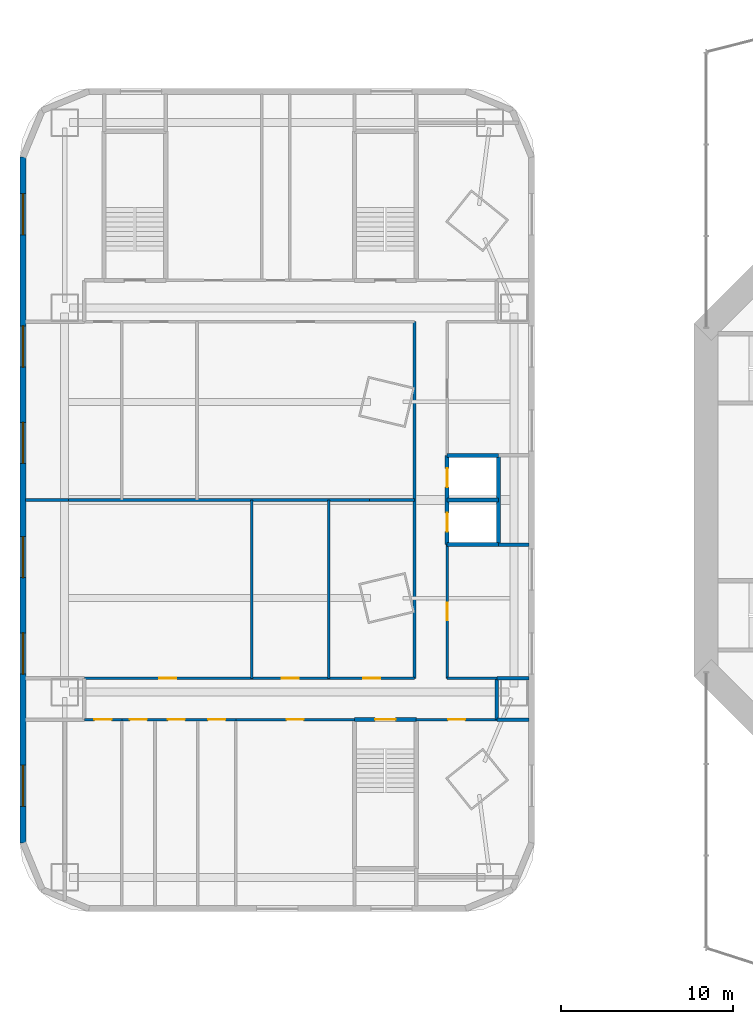
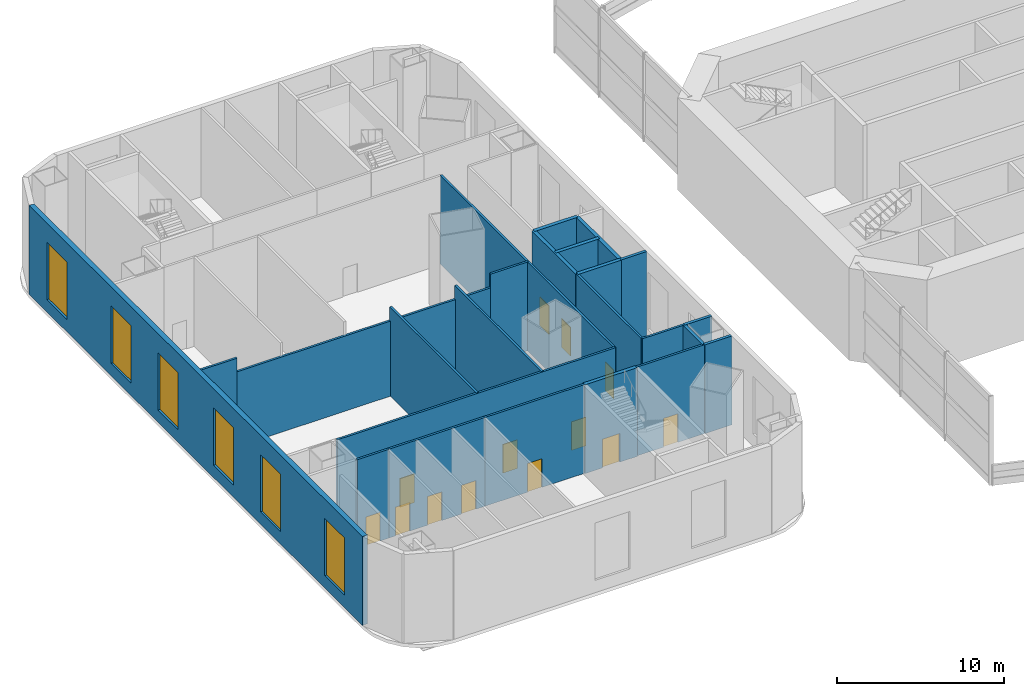
# One storey, part 10 of 19: 24 walls, 13 doors, 6 windows, 19 openings.
"""IFC4 building model written with IfcOpenShell, lengths in metres."""

from ifc_helpers import new_model, si_unit, direction, frame, frame_2d, origin, place, context, subcontext, project, spatial, rectangle, extrude, material, layer, layer_set, type_object, element, fill, save


model = new_model("IFC4")

# Units and contexts
model_context = context("Model", 3, precision=1e-05, world=origin(), true_north=direction((0.0, 1.0)))
body_context = subcontext(model_context, "Body", "Model", "MODEL_VIEW")
ifc_project = project(units=[si_unit("LENGTHUNIT", "METRE"), si_unit("AREAUNIT", "SQUARE_METRE"), si_unit("VOLUMEUNIT", "CUBIC_METRE"), si_unit("PLANEANGLEUNIT", "RADIAN"), si_unit("MASSUNIT", "GRAM", prefix="KILO")], contexts=[model_context])

# Site, building, storey
site_placement = place(None, origin())
site = spatial("IfcSite", under=ifc_project, at=site_placement, CompositionType="ELEMENT")
building_placement = place(site_placement, origin())
building = spatial("IfcBuilding", under=site, at=building_placement, Name="Marenthal Gate Tower", CompositionType="ELEMENT")
storey_placement = place(building_placement, frame((0.0, 0.0, 19.0)))
storey = spatial("IfcBuildingStorey", under=building, at=storey_placement, Name="L02", CompositionType="ELEMENT", Elevation=19.0)

# Walls
ifc_material_1 = material(Name="Concrete 40 MPa", Category="concrete")
ifc_layer_1 = layer(ifc_material_1, 0.25)
ifc_layer_set_1 = layer_set([ifc_layer_1], Name="Hoistway wall 250")
wall_type_1 = type_object("IfcWallType", Name="Hoistway wall 250", PredefinedType="STANDARD", material=ifc_layer_set_1)
for number, where, z_axis, x_axis, name in (
    (1, (-31.10009765625, -2.60009765625, 0.0), (0.0, 0.0, 1.0), (1.0, 0.0, 0.0), "Hoistway wall 36"),
    (2, (-31.10009765625, 0.0, 0.0), (0.0, 0.0, 1.0), (1.0, 0.0, 0.0), "Hoistway wall 38"),
    (3, (-31.10009765625, 2.60009765625, 0.0), (0.0, 0.0, 1.0), (1.0, 0.0, 0.0), "Hoistway wall 40"),
):
    element("IfcWall", number, at=place(storey_placement, frame(where, z_axis=z_axis, x_axis=x_axis)), inside=storey, type_object=wall_type_1, Name=name, PredefinedType="STANDARD", context=body_context, shape_type="SweptSolid", body=[
        extrude(rectangle(XDim=3.0, YDim=0.25, at=frame_2d((1.5, 0.0))), origin(), (0.0, 0.0, 1.0), 6.5),
    ])
wall_1_placement = place(storey_placement, frame((-28.10009765625, -2.60009765625, 0.0), z_axis=(0.0, 0.0, 1.0), x_axis=(0.0, 1.0, 0.0)))
element("IfcWall", 4, at=wall_1_placement, inside=storey, type_object=wall_type_1, Name="Hoistway wall 44", PredefinedType="STANDARD", context=body_context, shape_type="SweptSolid", body=[
    extrude(rectangle(XDim=5.2001953125, YDim=0.25, at=frame_2d((2.60009765625, 0.0))), origin(), (0.0, 0.0, 1.0), 6.5),
])

# Wall, openings, doors
wall_2_placement = place(storey_placement, frame((-31.10009765625, -2.60009765625, 0.0), z_axis=(0.0, 0.0, 1.0), x_axis=(0.0, 1.0, 0.0)))
wall_2 = element("IfcWall", 5, at=wall_2_placement, inside=storey, type_object=wall_type_1, Name="Hoistway wall 45", PredefinedType="STANDARD", context=body_context, shape_type="SweptSolid", body=[
    extrude(rectangle(XDim=5.2001953125, YDim=0.25, at=frame_2d((2.60009765625, 0.0))), origin(), (0.0, 0.0, 1.0), 6.5),
])
opening_1_placement = place(wall_2_placement, frame((0.75, 0.0, 0.0)))
opening_1 = element("IfcOpeningElement", 6, at=opening_1_placement, cuts=wall_2, Name="Opening LD.03", PredefinedType="OPENING", context=body_context, shape_type="SweptSolid", body=[
    extrude(rectangle(XDim=1.10009765625, YDim=2.10009765625, at=frame_2d((0.550048828125, 1.050048828125))), frame((0.0, 0.135009765625, 0.0), z_axis=(0.0, -1.0, 0.0), x_axis=(1.0, 0.0, 0.0)), (0.0, 0.0, 1.0), 0.27001953125),
])
opening_2_placement = place(wall_2_placement, frame((3.35009765625, 0.0, 0.0)))
opening_2 = element("IfcOpeningElement", 7, at=opening_2_placement, cuts=wall_2, Name="Opening LD.04", PredefinedType="OPENING", context=body_context, shape_type="SweptSolid", body=[
    extrude(rectangle(XDim=1.10009765625, YDim=2.10009765625, at=frame_2d((0.550048828125, 1.050048828125))), frame((0.0, 0.135009765625, 0.0), z_axis=(0.0, -1.0, 0.0), x_axis=(1.0, 0.0, 0.0)), (0.0, 0.0, 1.0), 0.27001953125),
])
ifc_material_2 = material(Name="Stainless steel sliding door", Category="steel")
door_type_1 = type_object("IfcDoorType", Name="Lift landing door FD 90 1100 x 2100", OperationType="DOUBLE_DOOR_SLIDING", PredefinedType="DOOR", material=ifc_material_2)
door_1_placement = place(opening_1_placement, origin())
door_1 = element("IfcDoor", 8, at=door_1_placement, inside=storey, type_object=door_type_1, Name="Lift landing door 03", OperationType="DOUBLE_DOOR_SLIDING", OverallHeight=2.10009765625, OverallWidth=1.10009765625, PredefinedType="DOOR", context=body_context, shape_type="SweptSolid", body=[
    extrude(rectangle(XDim=1.10009765625, YDim=2.10009765625, at=frame_2d((0.550048828125, 1.050048828125))), frame((0.0, 0.02490234375, 0.0), z_axis=(0.0, -1.0, 0.0), x_axis=(1.0, 0.0, 0.0)), (0.0, 0.0, 1.0), 0.050048828125),
])
fill(opening_1, door_1)
door_2_placement = place(opening_2_placement, origin())
door_2 = element("IfcDoor", 9, at=door_2_placement, inside=storey, type_object=door_type_1, Name="Lift landing door 04", OperationType="DOUBLE_DOOR_SLIDING", OverallHeight=2.10009765625, OverallWidth=1.10009765625, PredefinedType="DOOR", context=body_context, shape_type="SweptSolid", body=[
    extrude(rectangle(XDim=1.10009765625, YDim=2.10009765625, at=frame_2d((0.550048828125, 1.050048828125))), frame((0.0, 0.02490234375, 0.0), z_axis=(0.0, -1.0, 0.0), x_axis=(1.0, 0.0, 0.0)), (0.0, 0.0, 1.0), 0.050048828125),
])
fill(opening_2, door_2)

# Wall, opening, door
ifc_material_3 = material(Name="Gypsum board on steel studs", Category="steel")
ifc_layer_2 = layer(ifc_material_3, 0.14990234375)
ifc_layer_set_2 = layer_set([ifc_layer_2], Name="Partition 150")
wall_type_2 = type_object("IfcWallType", Name="Partition 150", PredefinedType="PARTITIONING", material=ifc_layer_set_2)
wall_3_placement = place(storey_placement, frame((-52.25, -12.800048828125, 0.0), z_axis=(0.0, 0.0, 1.0), x_axis=(1.0, 0.0, 0.0)))
wall_3 = element("IfcWall", 10, at=wall_3_placement, inside=storey, type_object=wall_type_2, Name="Partition wall 46", PredefinedType="PARTITIONING", context=body_context, shape_type="SweptSolid", body=[
    extrude(rectangle(XDim=2.18505859375, YDim=0.14990234375, at=frame_2d((1.092529296875, 0.0))), origin(), (0.0, 0.0, 1.0), 6.5),
])
opening_3_placement = place(wall_3_placement, frame((0.58740234375, 0.0, 0.0)))
opening_3 = element("IfcOpeningElement", 11, at=opening_3_placement, cuts=wall_3, Name="Opening D012.32", PredefinedType="OPENING", context=body_context, shape_type="SweptSolid", body=[
    extrude(rectangle(XDim=1.0, YDim=2.10009765625, at=frame_2d((0.5, 1.050048828125))), frame((0.0, 0.0849609375, 0.0), z_axis=(0.0, -1.0, 0.0), x_axis=(1.0, 0.0, 0.0)), (0.0, 0.0, 1.0), 0.169921875),
])
ifc_material_4 = material(Name="Timber door", Category="wood")
door_type_2 = type_object("IfcDoorType", Name="Door 1000 x 2100", OperationType="NOTDEFINED", PredefinedType="DOOR", material=ifc_material_4)
door_3_placement = place(opening_3_placement, frame((1.0, 0.0, 0.0), z_axis=(0.0, 0.0, 1.0), x_axis=(-1.0, 0.0, 0.0)))
door_3 = element("IfcDoor", 12, at=door_3_placement, inside=storey, type_object=door_type_2, Name="Door D012.32", OperationType="SINGLE_SWING_LEFT", OverallHeight=2.10009765625, OverallWidth=1.0, PredefinedType="DOOR", context=body_context, shape_type="SweptSolid", body=[
    extrude(rectangle(XDim=1.0, YDim=2.10009765625, at=frame_2d((0.5, 1.050048828125))), frame((0.0, 0.02490234375, 0.0), z_axis=(0.0, -1.0, 0.0), x_axis=(1.0, 0.0, 0.0)), (0.0, 0.0, 1.0), 0.050048828125),
])
fill(opening_3, door_3)

wall_4_placement = place(storey_placement, frame((-43.425048828125, -12.800048828125, 0.0), z_axis=(0.0, 0.0, 1.0), x_axis=(1.0, 0.0, 0.0)))
wall_4 = element("IfcWall", 13, at=wall_4_placement, inside=storey, type_object=wall_type_2, Name="Partition wall 47", PredefinedType="PARTITIONING", context=body_context, shape_type="SweptSolid", body=[
    extrude(rectangle(XDim=6.929931640625, YDim=0.14990234375, at=frame_2d((3.46484375, 0.0))), origin(), (0.0, 0.0, 1.0), 6.5),
])
opening_4_placement = place(wall_4_placement, frame((2.965087890625, 0.0, 0.0)))
opening_4 = element("IfcOpeningElement", 14, at=opening_4_placement, cuts=wall_4, Name="Opening D012.28", PredefinedType="OPENING", context=body_context, shape_type="SweptSolid", body=[
    extrude(rectangle(XDim=1.0, YDim=2.10009765625, at=frame_2d((0.5, 1.050048828125))), frame((0.0, 0.0849609375, 0.0), z_axis=(0.0, -1.0, 0.0), x_axis=(1.0, 0.0, 0.0)), (0.0, 0.0, 1.0), 0.169921875),
])
door_4_placement = place(opening_4_placement, frame((1.0, 0.0, 0.0), z_axis=(0.0, 0.0, 1.0), x_axis=(-1.0, 0.0, 0.0)))
door_4 = element("IfcDoor", 15, at=door_4_placement, inside=storey, type_object=door_type_2, Name="Door D012.28", OperationType="SINGLE_SWING_LEFT", OverallHeight=2.10009765625, OverallWidth=1.0, PredefinedType="DOOR", context=body_context, shape_type="SweptSolid", body=[
    extrude(rectangle(XDim=1.0, YDim=2.10009765625, at=frame_2d((0.5, 1.050048828125))), frame((0.0, 0.02490234375, 0.0), z_axis=(0.0, -1.0, 0.0), x_axis=(1.0, 0.0, 0.0)), (0.0, 0.0, 1.0), 0.050048828125),
])
fill(opening_4, door_4)

wall_5_placement = place(storey_placement, frame((-32.905029296875, -12.800048828125, 0.0), z_axis=(0.0, 0.0, 1.0), x_axis=(1.0, 0.0, 0.0)))
wall_5 = element("IfcWall", 16, at=wall_5_placement, inside=storey, type_object=wall_type_2, Name="Partition wall 48", PredefinedType="PARTITIONING", context=body_context, shape_type="SweptSolid", body=[
    extrude(rectangle(XDim=4.705078125, YDim=0.14990234375, at=frame_2d((2.3525390625, 0.0))), origin(), (0.0, 0.0, 1.0), 6.5),
])
opening_5_placement = place(wall_5_placement, frame((1.857421875, 0.0, 0.0)))
opening_5 = element("IfcOpeningElement", 17, at=opening_5_placement, cuts=wall_5, Name="Opening D012.36", PredefinedType="OPENING", context=body_context, shape_type="SweptSolid", body=[
    extrude(rectangle(XDim=1.0, YDim=2.10009765625, at=frame_2d((0.5, 1.050048828125))), frame((0.0, 0.0849609375, 0.0), z_axis=(0.0, -1.0, 0.0), x_axis=(1.0, 0.0, 0.0)), (0.0, 0.0, 1.0), 0.169921875),
])
door_5_placement = place(opening_5_placement, frame((1.0, 0.0, 0.0), z_axis=(0.0, 0.0, 1.0), x_axis=(-1.0, 0.0, 0.0)))
door_5 = element("IfcDoor", 18, at=door_5_placement, inside=storey, type_object=door_type_2, Name="Door D012.36", OperationType="SINGLE_SWING_LEFT", OverallHeight=2.10009765625, OverallWidth=1.0, PredefinedType="DOOR", context=body_context, shape_type="SweptSolid", body=[
    extrude(rectangle(XDim=1.0, YDim=2.10009765625, at=frame_2d((0.5, 1.050048828125))), frame((0.0, 0.02490234375, 0.0), z_axis=(0.0, -1.0, 0.0), x_axis=(1.0, 0.0, 0.0)), (0.0, 0.0, 1.0), 0.050048828125),
])
fill(opening_5, door_5)

# Wall, openings, doors
wall_6_placement = place(storey_placement, frame((-52.25, -10.39990234375, 0.0), z_axis=(0.0, 0.0, 1.0), x_axis=(1.0, 0.0, 0.0)))
wall_6 = element("IfcWall", 19, at=wall_6_placement, inside=storey, type_object=wall_type_2, Name="Partition wall 52", PredefinedType="PARTITIONING", context=body_context, shape_type="SweptSolid", body=[
    extrude(rectangle(XDim=19.2548828125, YDim=0.14990234375, at=frame_2d((9.62744140625, 0.0))), origin(), (0.0, 0.0, 1.0), 6.5),
])
opening_6_placement = place(wall_6_placement, frame((16.25, 0.0, 0.0)))
opening_6 = element("IfcOpeningElement", 20, at=opening_6_placement, cuts=wall_6, Name="Opening D012.25", PredefinedType="OPENING", context=body_context, shape_type="SweptSolid", body=[
    extrude(rectangle(XDim=1.0, YDim=2.10009765625, at=frame_2d((0.5, 1.050048828125))), frame((0.0, 0.0849609375, 0.0), z_axis=(0.0, -1.0, 0.0), x_axis=(1.0, 0.0, 0.0)), (0.0, 0.0, 1.0), 0.169921875),
])
opening_7_placement = place(wall_6_placement, frame((11.5, 0.0, 0.0)))
opening_7 = element("IfcOpeningElement", 21, at=opening_7_placement, cuts=wall_6, Name="Opening D012.26", PredefinedType="OPENING", context=body_context, shape_type="SweptSolid", body=[
    extrude(rectangle(XDim=1.0, YDim=2.10009765625, at=frame_2d((0.5, 1.050048828125))), frame((0.0, 0.0849609375, 0.0), z_axis=(0.0, -1.0, 0.0), x_axis=(1.0, 0.0, 0.0)), (0.0, 0.0, 1.0), 0.169921875),
])
opening_8_placement = place(wall_6_placement, frame((4.37255859375, 0.0, 0.0)))
opening_8 = element("IfcOpeningElement", 22, at=opening_8_placement, cuts=wall_6, Name="Opening D012.27", PredefinedType="OPENING", context=body_context, shape_type="SweptSolid", body=[
    extrude(rectangle(XDim=1.0, YDim=2.10009765625, at=frame_2d((0.5, 1.050048828125))), frame((0.0, 0.0849609375, 0.0), z_axis=(0.0, -1.0, 0.0), x_axis=(1.0, 0.0, 0.0)), (0.0, 0.0, 1.0), 0.169921875),
])
door_6_placement = place(opening_6_placement, origin())
door_6 = element("IfcDoor", 23, at=door_6_placement, inside=storey, type_object=door_type_2, Name="Door D012.25", OperationType="SINGLE_SWING_RIGHT", OverallHeight=2.10009765625, OverallWidth=1.0, PredefinedType="DOOR", context=body_context, shape_type="SweptSolid", body=[
    extrude(rectangle(XDim=1.0, YDim=2.10009765625, at=frame_2d((0.5, 1.050048828125))), frame((0.0, 0.02490234375, 0.0), z_axis=(0.0, -1.0, 0.0), x_axis=(1.0, 0.0, 0.0)), (0.0, 0.0, 1.0), 0.050048828125),
])
fill(opening_6, door_6)
door_7_placement = place(opening_7_placement, origin())
door_7 = element("IfcDoor", 24, at=door_7_placement, inside=storey, type_object=door_type_2, Name="Door D012.26", OperationType="SINGLE_SWING_RIGHT", OverallHeight=2.10009765625, OverallWidth=1.0, PredefinedType="DOOR", context=body_context, shape_type="SweptSolid", body=[
    extrude(rectangle(XDim=1.0, YDim=2.10009765625, at=frame_2d((0.5, 1.050048828125))), frame((0.0, 0.02490234375, 0.0), z_axis=(0.0, -1.0, 0.0), x_axis=(1.0, 0.0, 0.0)), (0.0, 0.0, 1.0), 0.050048828125),
])
fill(opening_7, door_7)
door_8_placement = place(opening_8_placement, origin())
door_8 = element("IfcDoor", 25, at=door_8_placement, inside=storey, type_object=door_type_2, Name="Door D012.27", OperationType="SINGLE_SWING_RIGHT", OverallHeight=2.10009765625, OverallWidth=1.0, PredefinedType="DOOR", context=body_context, shape_type="SweptSolid", body=[
    extrude(rectangle(XDim=1.0, YDim=2.10009765625, at=frame_2d((0.5, 1.050048828125))), frame((0.0, 0.02490234375, 0.0), z_axis=(0.0, -1.0, 0.0), x_axis=(1.0, 0.0, 0.0)), (0.0, 0.0, 1.0), 0.050048828125),
])
fill(opening_8, door_8)

# Walls
wall_7_placement = place(storey_placement, frame((-31.10498046875, -10.39990234375, 0.0), z_axis=(0.0, 0.0, 1.0), x_axis=(1.0, 0.0, 0.0)))
element("IfcWall", 26, at=wall_7_placement, inside=storey, type_object=wall_type_2, Name="Partition wall 53", PredefinedType="PARTITIONING", context=body_context, shape_type="SweptSolid", body=[
    extrude(rectangle(XDim=2.905029296875, YDim=0.14990234375, at=frame_2d((1.45263671875, 0.0))), origin(), (0.0, 0.0, 1.0), 6.5),
])
wall_8_placement = place(storey_placement, frame((-55.669921875, 0.0, 0.0), z_axis=(0.0, 0.0, 1.0), x_axis=(1.0, 0.0, 0.0)))
element("IfcWall", 27, at=wall_8_placement, inside=storey, type_object=wall_type_2, Name="Partition wall 56", PredefinedType="PARTITIONING", context=body_context, shape_type="SweptSolid", body=[
    extrude(rectangle(XDim=2.494873046875, YDim=0.14990234375, at=frame_2d((1.24755859375, 0.0))), origin(), (0.0, 0.0, 1.0), 6.5),
])
wall_9_placement = place(storey_placement, frame((-53.175048828125, 0.0, 0.0), z_axis=(0.0, 0.0, 1.0), x_axis=(1.0, 0.0, 0.0)))
element("IfcWall", 28, at=wall_9_placement, inside=storey, type_object=wall_type_2, Name="Partition wall 165", PredefinedType="PARTITIONING", context=body_context, shape_type="SweptSolid", body=[
    extrude(rectangle(XDim=17.553466796875, YDim=0.14990234375, at=frame_2d((8.77685546875, 0.0))), origin(), (0.0, 0.0, 1.0), 5.5),
])
wall_10_placement = place(storey_placement, frame((-35.62158203125, 0.0, 0.0), z_axis=(0.0, 0.0, 1.0), x_axis=(1.0, 0.0, 0.0)))
element("IfcWall", 29, at=wall_10_placement, inside=storey, type_object=wall_type_2, Name="Partition wall 166", PredefinedType="PARTITIONING", context=body_context, shape_type="SweptSolid", body=[
    extrude(rectangle(XDim=2.62158203125, YDim=0.14990234375, at=frame_2d((1.310791015625, 0.0))), origin(), (0.0, 0.0, 1.0), 6.5),
])

# Wall, opening, door
wall_11_placement = place(storey_placement, frame((-31.10009765625, -10.39990234375, 0.0), z_axis=(0.0, 0.0, 1.0), x_axis=(0.0, 1.0, 0.0)))
wall_11 = element("IfcWall", 30, at=wall_11_placement, inside=storey, type_object=wall_type_2, Name="Partition wall 75", PredefinedType="PARTITIONING", context=body_context, shape_type="SweptSolid", body=[
    extrude(rectangle(XDim=7.804931640625, YDim=0.14990234375, at=frame_2d((3.90234375, 0.0))), origin(), (0.0, 0.0, 1.0), 6.5),
])
opening_9_placement = place(wall_11_placement, frame((3.39990234375, 0.0, 0.0)))
opening_9 = element("IfcOpeningElement", 31, at=opening_9_placement, cuts=wall_11, Name="Opening D012.34", PredefinedType="OPENING", context=body_context, shape_type="SweptSolid", body=[
    extrude(rectangle(XDim=1.0, YDim=2.10009765625, at=frame_2d((0.5, 1.050048828125))), frame((0.0, 0.0849609375, 0.0), z_axis=(0.0, -1.0, 0.0), x_axis=(1.0, 0.0, 0.0)), (0.0, 0.0, 1.0), 0.169921875),
])
door_9_placement = place(opening_9_placement, frame((1.0, 0.0, 0.0), z_axis=(0.0, 0.0, 1.0), x_axis=(-1.0, 0.0, 0.0)))
door_9 = element("IfcDoor", 32, at=door_9_placement, inside=storey, type_object=door_type_2, Name="Door D012.34", OperationType="SINGLE_SWING_LEFT", OverallHeight=2.10009765625, OverallWidth=1.0, PredefinedType="DOOR", context=body_context, shape_type="SweptSolid", body=[
    extrude(rectangle(XDim=1.0, YDim=2.10009765625, at=frame_2d((0.5, 1.050048828125))), frame((0.0, 0.02490234375, 0.0), z_axis=(0.0, -1.0, 0.0), x_axis=(1.0, 0.0, 0.0)), (0.0, 0.0, 1.0), 0.050048828125),
])
fill(opening_9, door_9)

# Walls
wall_12_placement = place(storey_placement, frame((-33.0, -10.39990234375, 0.0), z_axis=(0.0, 0.0, 1.0), x_axis=(0.0, 1.0, 0.0)))
element("IfcWall", 33, at=wall_12_placement, inside=storey, type_object=wall_type_2, Name="Partition wall 77", PredefinedType="PARTITIONING", context=body_context, shape_type="SweptSolid", body=[
    extrude(rectangle(XDim=20.7998046875, YDim=0.14990234375, at=frame_2d((10.39990234375, 0.0))), origin(), (0.0, 0.0, 1.0), 6.5),
])
for number, where, z_axis, x_axis, name in (
    (34, (-38.0, -10.39990234375, 0.0), (0.0, 0.0, 1.0), (0.0, 1.0, 0.0), "Partition wall 78"),
    (35, (-42.5, -10.39990234375, 0.0), (0.0, 0.0, 1.0), (0.0, 1.0, 0.0), "Partition wall 79"),
):
    element("IfcWall", number, at=place(storey_placement, frame(where, z_axis=z_axis, x_axis=x_axis)), inside=storey, type_object=wall_type_2, Name=name, PredefinedType="PARTITIONING", context=body_context, shape_type="SweptSolid", body=[
        extrude(rectangle(XDim=10.39990234375, YDim=0.14990234375, at=frame_2d((5.199951171875, 0.0))), origin(), (0.0, 0.0, 1.0), 6.5),
    ])
ifc_material_5 = material(Name="Gypsum board on steel studs", Category="steel")
ifc_layer_3 = layer(ifc_material_5, 0.199951171875)
ifc_layer_set_3 = layer_set([ifc_layer_3], Name="Partition 200")
wall_type_3 = type_object("IfcWallType", Name="Partition 200", PredefinedType="PARTITIONING", material=ifc_layer_set_3)
for number, where, z_axis, x_axis, name in (
    (36, (-28.203857421875, -12.800048828125, 0.0), (0.0, 0.0, 1.0), (1.0, 0.0, 0.0), "Partition wall 85"),
    (37, (-28.203857421875, -10.39990234375, 0.0), (0.0, 0.0, 1.0), (1.0, 0.0, 0.0), "Partition wall 89"),
):
    element("IfcWall", number, at=place(storey_placement, frame(where, z_axis=z_axis, x_axis=x_axis)), inside=storey, type_object=wall_type_3, Name=name, PredefinedType="PARTITIONING", context=body_context, shape_type="SweptSolid", body=[
        extrude(rectangle(XDim=1.873779296875, YDim=0.199951171875, at=frame_2d((0.93701171875, 0.0))), origin(), (0.0, 0.0, 1.0), 6.5),
    ])
wall_13_placement = place(storey_placement, frame((-28.10009765625, -2.60009765625, 0.0), z_axis=(0.0, 0.0, 1.0), x_axis=(1.0, 0.0, 0.0)))
element("IfcWall", 38, at=wall_13_placement, inside=storey, type_object=wall_type_3, Name="Partition wall 92", PredefinedType="PARTITIONING", context=body_context, shape_type="SweptSolid", body=[
    extrude(rectangle(XDim=1.77001953125, YDim=0.199951171875, at=frame_2d((0.885009765625, 0.0))), origin(), (0.0, 0.0, 1.0), 6.5),
])
wall_14_placement = place(storey_placement, frame((-28.199951171875, -12.800048828125, 0.0), z_axis=(0.0, 0.0, 1.0), x_axis=(0.0, 1.0, 0.0)))
element("IfcWall", 39, at=wall_14_placement, inside=storey, type_object=wall_type_3, Name="Partition wall 17", PredefinedType="PARTITIONING", context=body_context, shape_type="SweptSolid", body=[
    extrude(rectangle(XDim=2.400146484375, YDim=0.199951171875, at=frame_2d((1.2001953125, 0.0))), origin(), (0.0, 0.0, 1.0), 6.5),
])

# Wall, opening, door
ifc_material_6 = material(Name="Concrete 50 MPa", Category="concrete")
ifc_layer_4 = layer(ifc_material_6, 0.25)
ifc_layer_set_4 = layer_set([ifc_layer_4], Name="Stair shear wall 250")
wall_type_4 = type_object("IfcWallType", Name="Stair shear wall 250", PredefinedType="SHEAR", material=ifc_layer_set_4)
wall_15_placement = place(storey_placement, frame((-36.5048828125, -12.800048828125, 0.0), z_axis=(0.0, 0.0, 1.0), x_axis=(1.0, 0.0, 0.0)))
wall_15 = element("IfcWall", 40, at=wall_15_placement, inside=storey, type_object=wall_type_4, Name="Stair wall 30", PredefinedType="SHEAR", context=body_context, shape_type="SweptSolid", body=[
    extrude(rectangle(XDim=3.60986328125, YDim=0.25, at=frame_2d((1.804931640625, 0.0))), origin(), (0.0, 0.0, 1.0), 6.5),
])
opening_10_placement = place(wall_15_placement, frame((1.205078125, 0.0, 0.0)))
opening_10 = element("IfcOpeningElement", 41, at=opening_10_placement, cuts=wall_15, Name="Opening D001.06", PredefinedType="OPENING", context=body_context, shape_type="SweptSolid", body=[
    extrude(rectangle(XDim=1.199951171875, YDim=2.10009765625, at=frame_2d((0.60009765625, 1.050048828125))), frame((0.0, 0.135009765625, 0.0), z_axis=(0.0, -1.0, 0.0), x_axis=(1.0, 0.0, 0.0)), (0.0, 0.0, 1.0), 0.27001953125),
])
ifc_material_7 = material(Name="Steel fire door", Category="steel")
door_type_3 = type_object("IfcDoorType", Name="Fire door FD 90 1200 x 2100", OperationType="NOTDEFINED", PredefinedType="DOOR", material=ifc_material_7)
door_10_placement = place(opening_10_placement, frame((1.199951171875, 0.0, 0.0), z_axis=(0.0, 0.0, 1.0), x_axis=(-1.0, 0.0, 0.0)))
door_10 = element("IfcDoor", 42, at=door_10_placement, inside=storey, type_object=door_type_3, Name="Door D001.06", OperationType="SINGLE_SWING_LEFT", OverallHeight=2.10009765625, OverallWidth=1.199951171875, PredefinedType="DOOR", context=body_context, shape_type="SweptSolid", body=[
    extrude(rectangle(XDim=1.199951171875, YDim=2.10009765625, at=frame_2d((0.60009765625, 1.050048828125))), frame((0.0, 0.02490234375, 0.0), z_axis=(0.0, -1.0, 0.0), x_axis=(1.0, 0.0, 0.0)), (0.0, 0.0, 1.0), 0.050048828125),
])
fill(opening_10, door_10)

# Wall, openings, windows
ifc_material_8 = material(Name="Terracotta cladding on insulated concrete-block backing", Category="masonry")
ifc_layer_5 = layer(ifc_material_8, 0.35009765625)
ifc_layer_set_5 = layer_set([ifc_layer_5], Name="Terracotta cladding wall 350")
wall_type_5 = type_object("IfcWallType", Name="Terracotta cladding wall 350", PredefinedType="SOLIDWALL", material=ifc_layer_set_5)
wall_16_placement = place(storey_placement, frame((-55.824951171875, 19.988525390625, 0.0), z_axis=(0.0, 0.0, 1.0), x_axis=(0.0, -1.0, 0.0)))
wall_16 = element("IfcWall", 43, at=wall_16_placement, inside=storey, type_object=wall_type_5, Name="Terracotta cladding wall L02 W9", PredefinedType="SOLIDWALL", context=body_context, shape_type="SweptSolid", body=[
    extrude(rectangle(XDim=39.97705078125, YDim=0.35009765625, at=frame_2d((19.988525390625, 0.0))), origin(), (0.0, 0.0, 1.0), 6.5),
])
opening_11_placement = place(wall_16_placement, frame((2.13134765625, 0.0, 0.89990234375)))
opening_11 = element("IfcOpeningElement", 44, at=opening_11_placement, cuts=wall_16, Name="Opening WN4-L02-73", PredefinedType="OPENING", context=body_context, shape_type="SweptSolid", body=[
    extrude(rectangle(XDim=2.39990234375, YDim=4.199951171875, at=frame_2d((1.199951171875, 2.10009765625))), frame((0.0, 0.18505859375, 0.0), z_axis=(0.0, -1.0, 0.0), x_axis=(1.0, 0.0, 0.0)), (0.0, 0.0, 1.0), 0.3701171875),
])
opening_12_placement = place(wall_16_placement, frame((9.83837890625, 0.0, 0.89990234375)))
opening_12 = element("IfcOpeningElement", 45, at=opening_12_placement, cuts=wall_16, Name="Opening WN4-L02-74", PredefinedType="OPENING", context=body_context, shape_type="SweptSolid", body=[
    extrude(rectangle(XDim=2.39990234375, YDim=4.199951171875, at=frame_2d((1.199951171875, 2.10009765625))), frame((0.0, 0.18505859375, 0.0), z_axis=(0.0, -1.0, 0.0), x_axis=(1.0, 0.0, 0.0)), (0.0, 0.0, 1.0), 0.3701171875),
])
opening_13_placement = place(wall_16_placement, frame((15.45703125, 0.0, 0.89990234375)))
opening_13 = element("IfcOpeningElement", 46, at=opening_13_placement, cuts=wall_16, Name="Opening WN4-L02-75", PredefinedType="OPENING", context=body_context, shape_type="SweptSolid", body=[
    extrude(rectangle(XDim=2.39990234375, YDim=4.199951171875, at=frame_2d((1.199951171875, 2.10009765625))), frame((0.0, 0.18505859375, 0.0), z_axis=(0.0, -1.0, 0.0), x_axis=(1.0, 0.0, 0.0)), (0.0, 0.0, 1.0), 0.3701171875),
])
opening_14_placement = place(wall_16_placement, frame((22.119873046875, 0.0, 0.89990234375)))
opening_14 = element("IfcOpeningElement", 47, at=opening_14_placement, cuts=wall_16, Name="Opening WN4-L02-76", PredefinedType="OPENING", context=body_context, shape_type="SweptSolid", body=[
    extrude(rectangle(XDim=2.39990234375, YDim=4.199951171875, at=frame_2d((1.199951171875, 2.10009765625))), frame((0.0, 0.18505859375, 0.0), z_axis=(0.0, -1.0, 0.0), x_axis=(1.0, 0.0, 0.0)), (0.0, 0.0, 1.0), 0.3701171875),
])
opening_15_placement = place(wall_16_placement, frame((27.738525390625, 0.0, 0.89990234375)))
opening_15 = element("IfcOpeningElement", 48, at=opening_15_placement, cuts=wall_16, Name="Opening WN4-L02-77", PredefinedType="OPENING", context=body_context, shape_type="SweptSolid", body=[
    extrude(rectangle(XDim=2.39990234375, YDim=4.199951171875, at=frame_2d((1.199951171875, 2.10009765625))), frame((0.0, 0.18505859375, 0.0), z_axis=(0.0, -1.0, 0.0), x_axis=(1.0, 0.0, 0.0)), (0.0, 0.0, 1.0), 0.3701171875),
])
opening_16_placement = place(wall_16_placement, frame((35.445556640625, 0.0, 0.89990234375)))
opening_16 = element("IfcOpeningElement", 49, at=opening_16_placement, cuts=wall_16, Name="Opening WN4-L02-78", PredefinedType="OPENING", context=body_context, shape_type="SweptSolid", body=[
    extrude(rectangle(XDim=2.39990234375, YDim=4.199951171875, at=frame_2d((1.199951171875, 2.10009765625))), frame((0.0, 0.18505859375, 0.0), z_axis=(0.0, -1.0, 0.0), x_axis=(1.0, 0.0, 0.0)), (0.0, 0.0, 1.0), 0.3701171875),
])
ifc_material_9 = material(Name="Aluminium and laminated impact-rated glass", Category="aluminium")
window_type = type_object("IfcWindowType", Name="Window 2400x4200 impact-rated", PartitioningType="DOUBLE_PANEL_VERTICAL", PredefinedType="WINDOW", material=ifc_material_9)
window_1_placement = place(opening_11_placement, origin())
window_1 = element("IfcWindow", 50, at=window_1_placement, inside=storey, type_object=window_type, Name="Window L02 W9 1", OverallHeight=4.199951171875, OverallWidth=2.39990234375, PartitioningType="SINGLE_PANEL", PredefinedType="WINDOW", context=body_context, shape_type="SweptSolid", body=[
    extrude(rectangle(XDim=2.39990234375, YDim=4.199951171875, at=frame_2d((1.199951171875, 2.10009765625))), frame((0.0, 0.030029296875, 0.0), z_axis=(0.0, -1.0, 0.0), x_axis=(1.0, 0.0, 0.0)), (0.0, 0.0, 1.0), 0.06005859375),
])
fill(opening_11, window_1)
window_2_placement = place(opening_12_placement, origin())
window_2 = element("IfcWindow", 51, at=window_2_placement, inside=storey, type_object=window_type, Name="Window L02 W9 2", OverallHeight=4.199951171875, OverallWidth=2.39990234375, PartitioningType="SINGLE_PANEL", PredefinedType="WINDOW", context=body_context, shape_type="SweptSolid", body=[
    extrude(rectangle(XDim=2.39990234375, YDim=4.199951171875, at=frame_2d((1.199951171875, 2.10009765625))), frame((0.0, 0.030029296875, 0.0), z_axis=(0.0, -1.0, 0.0), x_axis=(1.0, 0.0, 0.0)), (0.0, 0.0, 1.0), 0.06005859375),
])
fill(opening_12, window_2)
window_3_placement = place(opening_13_placement, origin())
window_3 = element("IfcWindow", 52, at=window_3_placement, inside=storey, type_object=window_type, Name="Window L02 W9 3", OverallHeight=4.199951171875, OverallWidth=2.39990234375, PartitioningType="SINGLE_PANEL", PredefinedType="WINDOW", context=body_context, shape_type="SweptSolid", body=[
    extrude(rectangle(XDim=2.39990234375, YDim=4.199951171875, at=frame_2d((1.199951171875, 2.10009765625))), frame((0.0, 0.030029296875, 0.0), z_axis=(0.0, -1.0, 0.0), x_axis=(1.0, 0.0, 0.0)), (0.0, 0.0, 1.0), 0.06005859375),
])
fill(opening_13, window_3)
window_4_placement = place(opening_14_placement, origin())
window_4 = element("IfcWindow", 53, at=window_4_placement, inside=storey, type_object=window_type, Name="Window L02 W9 4", OverallHeight=4.199951171875, OverallWidth=2.39990234375, PartitioningType="SINGLE_PANEL", PredefinedType="WINDOW", context=body_context, shape_type="SweptSolid", body=[
    extrude(rectangle(XDim=2.39990234375, YDim=4.199951171875, at=frame_2d((1.199951171875, 2.10009765625))), frame((0.0, 0.030029296875, 0.0), z_axis=(0.0, -1.0, 0.0), x_axis=(1.0, 0.0, 0.0)), (0.0, 0.0, 1.0), 0.06005859375),
])
fill(opening_14, window_4)
window_5_placement = place(opening_15_placement, origin())
window_5 = element("IfcWindow", 54, at=window_5_placement, inside=storey, type_object=window_type, Name="Window L02 W9 5", OverallHeight=4.199951171875, OverallWidth=2.39990234375, PartitioningType="SINGLE_PANEL", PredefinedType="WINDOW", context=body_context, shape_type="SweptSolid", body=[
    extrude(rectangle(XDim=2.39990234375, YDim=4.199951171875, at=frame_2d((1.199951171875, 2.10009765625))), frame((0.0, 0.030029296875, 0.0), z_axis=(0.0, -1.0, 0.0), x_axis=(1.0, 0.0, 0.0)), (0.0, 0.0, 1.0), 0.06005859375),
])
fill(opening_15, window_5)
window_6_placement = place(opening_16_placement, origin())
window_6 = element("IfcWindow", 55, at=window_6_placement, inside=storey, type_object=window_type, Name="Window L02 W9 6", OverallHeight=4.199951171875, OverallWidth=2.39990234375, PartitioningType="SINGLE_PANEL", PredefinedType="WINDOW", context=body_context, shape_type="SweptSolid", body=[
    extrude(rectangle(XDim=2.39990234375, YDim=4.199951171875, at=frame_2d((1.199951171875, 2.10009765625))), frame((0.0, 0.030029296875, 0.0), z_axis=(0.0, -1.0, 0.0), x_axis=(1.0, 0.0, 0.0)), (0.0, 0.0, 1.0), 0.06005859375),
])
fill(opening_16, window_6)

# Wall, openings, doors
ifc_material_10 = material(Name="Gypsum board on steel studs", Category="steel")
ifc_layer_6 = layer(ifc_material_10, 0.14990234375)
ifc_layer_set_6 = layer_set([ifc_layer_6], Name="Wet room partition 150")
wall_type_6 = type_object("IfcWallType", Name="Wet room partition 150", PredefinedType="PARTITIONING", material=ifc_layer_set_6)
wall_17_placement = place(storey_placement, frame((-50.074951171875, -12.800048828125, 0.0), z_axis=(0.0, 0.0, 1.0), x_axis=(1.0, 0.0, 0.0)))
wall_17 = element("IfcWall", 56, at=wall_17_placement, inside=storey, type_object=wall_type_6, Name="Wet wall 52", PredefinedType="PARTITIONING", context=body_context, shape_type="SweptSolid", body=[
    extrude(rectangle(XDim=6.659912109375, YDim=0.14990234375, at=frame_2d((3.330078125, 0.0))), origin(), (0.0, 0.0, 1.0), 6.5),
])
opening_17_placement = place(wall_17_placement, frame((5.044921875, 0.0, 0.0)))
opening_17 = element("IfcOpeningElement", 57, at=opening_17_placement, cuts=wall_17, Name="Opening D012.29", PredefinedType="OPENING", context=body_context, shape_type="SweptSolid", body=[
    extrude(rectangle(XDim=1.0, YDim=2.10009765625, at=frame_2d((0.5, 1.050048828125))), frame((0.0, 0.0849609375, 0.0), z_axis=(0.0, -1.0, 0.0), x_axis=(1.0, 0.0, 0.0)), (0.0, 0.0, 1.0), 0.169921875),
])
opening_18_placement = place(wall_17_placement, frame((2.68994140625, 0.0, 0.0)))
opening_18 = element("IfcOpeningElement", 58, at=opening_18_placement, cuts=wall_17, Name="Opening D012.30", PredefinedType="OPENING", context=body_context, shape_type="SweptSolid", body=[
    extrude(rectangle(XDim=1.0, YDim=2.10009765625, at=frame_2d((0.5, 1.050048828125))), frame((0.0, 0.0849609375, 0.0), z_axis=(0.0, -1.0, 0.0), x_axis=(1.0, 0.0, 0.0)), (0.0, 0.0, 1.0), 0.169921875),
])
opening_19_placement = place(wall_17_placement, frame((0.47509765625, 0.0, 0.0)))
opening_19 = element("IfcOpeningElement", 59, at=opening_19_placement, cuts=wall_17, Name="Opening D012.31", PredefinedType="OPENING", context=body_context, shape_type="SweptSolid", body=[
    extrude(rectangle(XDim=1.0, YDim=2.10009765625, at=frame_2d((0.5, 1.050048828125))), frame((0.0, 0.0849609375, 0.0), z_axis=(0.0, -1.0, 0.0), x_axis=(1.0, 0.0, 0.0)), (0.0, 0.0, 1.0), 0.169921875),
])
door_11_placement = place(opening_17_placement, frame((1.0, 0.0, 0.0), z_axis=(0.0, 0.0, 1.0), x_axis=(-1.0, 0.0, 0.0)))
door_11 = element("IfcDoor", 60, at=door_11_placement, inside=storey, type_object=door_type_2, Name="Door D012.29", OperationType="SINGLE_SWING_LEFT", OverallHeight=2.10009765625, OverallWidth=1.0, PredefinedType="DOOR", context=body_context, shape_type="SweptSolid", body=[
    extrude(rectangle(XDim=1.0, YDim=2.10009765625, at=frame_2d((0.5, 1.050048828125))), frame((0.0, 0.02490234375, 0.0), z_axis=(0.0, -1.0, 0.0), x_axis=(1.0, 0.0, 0.0)), (0.0, 0.0, 1.0), 0.050048828125),
])
fill(opening_17, door_11)
door_12_placement = place(opening_18_placement, frame((1.0, 0.0, 0.0), z_axis=(0.0, 0.0, 1.0), x_axis=(-1.0, 0.0, 0.0)))
door_12 = element("IfcDoor", 61, at=door_12_placement, inside=storey, type_object=door_type_2, Name="Door D012.30", OperationType="SINGLE_SWING_LEFT", OverallHeight=2.10009765625, OverallWidth=1.0, PredefinedType="DOOR", context=body_context, shape_type="SweptSolid", body=[
    extrude(rectangle(XDim=1.0, YDim=2.10009765625, at=frame_2d((0.5, 1.050048828125))), frame((0.0, 0.02490234375, 0.0), z_axis=(0.0, -1.0, 0.0), x_axis=(1.0, 0.0, 0.0)), (0.0, 0.0, 1.0), 0.050048828125),
])
fill(opening_18, door_12)
door_13_placement = place(opening_19_placement, frame((1.0, 0.0, 0.0), z_axis=(0.0, 0.0, 1.0), x_axis=(-1.0, 0.0, 0.0)))
door_13 = element("IfcDoor", 62, at=door_13_placement, inside=storey, type_object=door_type_2, Name="Door D012.31", OperationType="SINGLE_SWING_LEFT", OverallHeight=2.10009765625, OverallWidth=1.0, PredefinedType="DOOR", context=body_context, shape_type="SweptSolid", body=[
    extrude(rectangle(XDim=1.0, YDim=2.10009765625, at=frame_2d((0.5, 1.050048828125))), frame((0.0, 0.02490234375, 0.0), z_axis=(0.0, -1.0, 0.0), x_axis=(1.0, 0.0, 0.0)), (0.0, 0.0, 1.0), 0.050048828125),
])
fill(opening_19, door_13)

save(model, "model.ifc")
